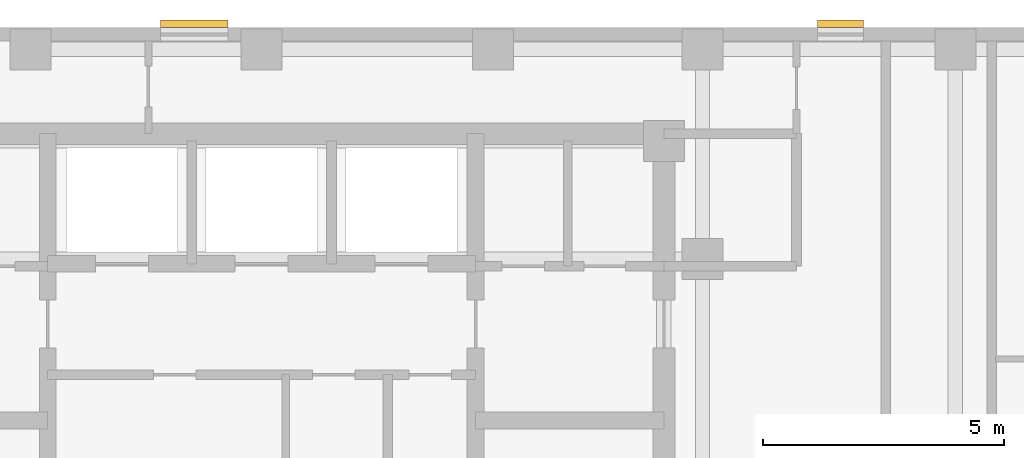
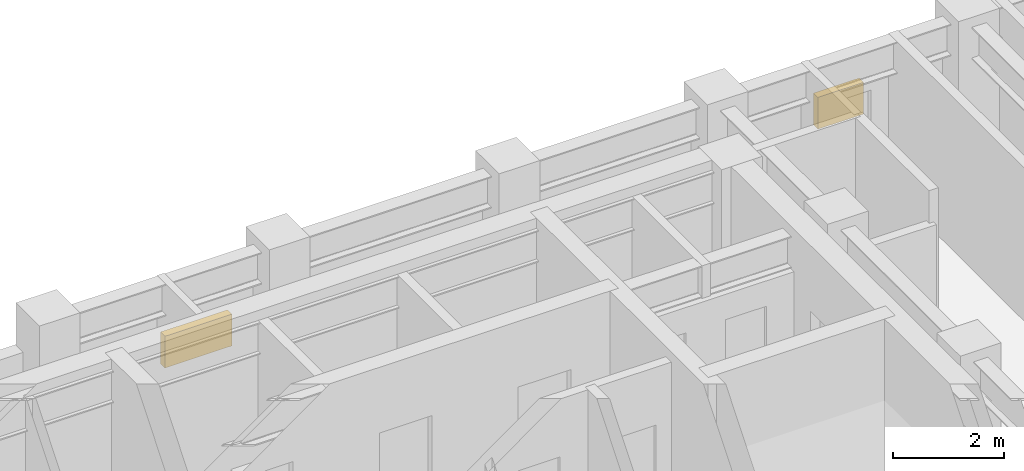
# One storey, part 12 of 12: 2 shading devices.
"""IFC4 building model written with IfcOpenShell, lengths in metres."""

from ifc_helpers import new_model, si_unit, direction, frame, origin, origin_2d, place, context, subcontext, project, spatial, rectangle, extrude, material, type_object, element, save


model = new_model("IFC4")

# Units and contexts
model_context = context("Model", 3, precision=1e-05, world=origin(), true_north=direction((0.0, 1.0)))
body_context = subcontext(model_context, "Body", "Model", "MODEL_VIEW")
ifc_project = project(units=[si_unit("LENGTHUNIT", "METRE"), si_unit("AREAUNIT", "SQUARE_METRE"), si_unit("VOLUMEUNIT", "CUBIC_METRE"), si_unit("PLANEANGLEUNIT", "RADIAN"), si_unit("MASSUNIT", "GRAM", prefix="KILO")], contexts=[model_context])

# Site, building, storey
site_placement = place(None, origin())
site = spatial("IfcSite", under=ifc_project, at=site_placement, CompositionType="ELEMENT")
building_placement = place(site_placement, origin())
building = spatial("IfcBuilding", under=site, at=building_placement, Name="Orvandelia Arch Residences", CompositionType="ELEMENT")
storey_placement = place(building_placement, frame((0.0, 0.0, 214.60009765625)))
storey = spatial("IfcBuildingStorey", under=building, at=storey_placement, Name="L56", CompositionType="ELEMENT", Elevation=214.60009765625)

# Shading devices
ifc_material = material(Name="Anodised Champagne-Bronze Extruded Aluminium", Category="aluminium")
shading_device_type = type_object("IfcShadingDeviceType", Name="SHD-JALOUSIE-SCREEN", PredefinedType="JALOUSIE", material=ifc_material)
shading_device_1_placement = place(storey_placement, frame((26.4150390625, 48.080078125, 1.5498046875), z_axis=(0.0, 0.0, 1.0), x_axis=(1.0, 0.0, 0.0)))
element("IfcShadingDevice", 1, at=shading_device_1_placement, inside=storey, type_object=shading_device_type, Name="Bronze Jalousie Sun-Shade L56-001", PredefinedType="JALOUSIE", context=body_context, shape_type="SweptSolid", body=[
    extrude(rectangle(XDim=0.949951171875, YDim=0.159912109375, at=origin_2d()), origin(), (0.0, 0.0, 1.0), 0.699951171875),
])
shading_device_2_placement = place(storey_placement, frame((13.00244140625, 48.080078125, 1.0498046875), z_axis=(0.0, 0.0, 1.0), x_axis=(1.0, 0.0, 0.0)))
element("IfcShadingDevice", 2, at=shading_device_2_placement, inside=storey, type_object=shading_device_type, Name="Bronze Jalousie Sun-Shade L56-002", PredefinedType="JALOUSIE", context=body_context, shape_type="SweptSolid", body=[
    extrude(rectangle(XDim=1.39990234375, YDim=0.159912109375, at=origin_2d()), origin(), (0.0, 0.0, 1.0), 0.699951171875),
])

save(model, "model.ifc")
